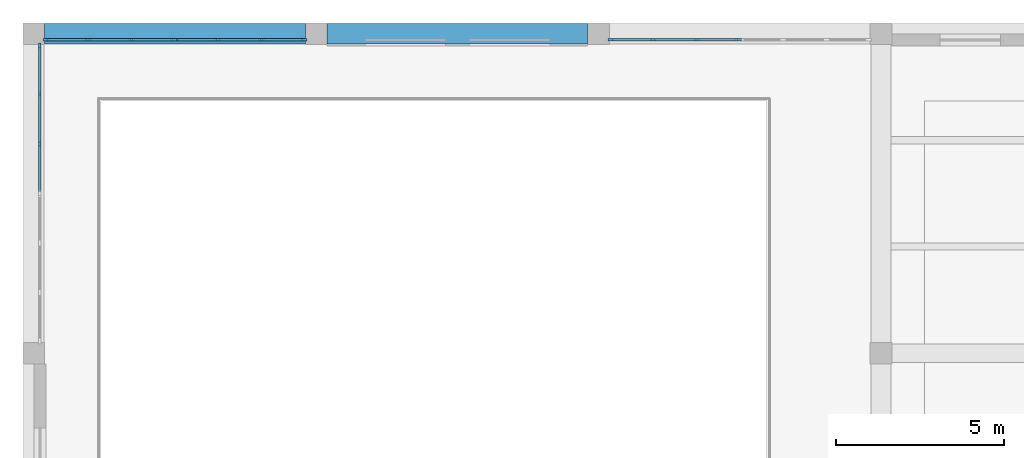
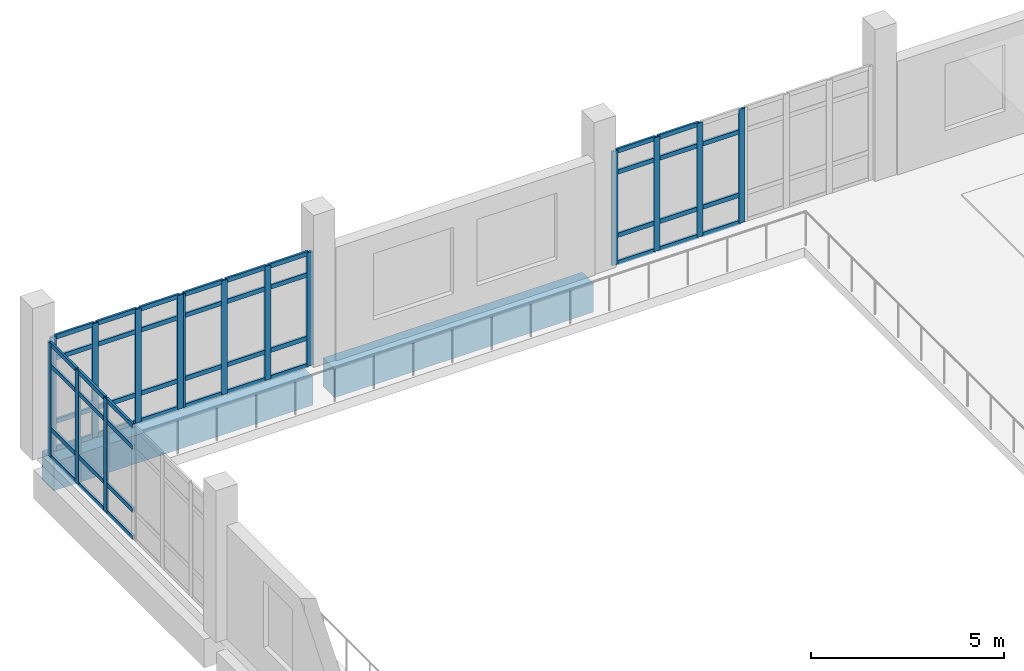
# One storey, part 22 of 73: 62 members, 2 beams, 4 elements without a shape of their own.
"""IFC4 building model written with IfcOpenShell, lengths in metres."""

from ifc_helpers import new_model, si_unit, direction, frame, origin, origin_2d, place, context, subcontext, project, spatial, rectangle, extrude, material, layer, layer_set, material_profile, profile_set, type_object, element, aggregate, save


model = new_model("IFC4")

# Units and contexts
model_context = context("Model", 3, precision=1e-05, world=origin(), true_north=direction((0.0, 1.0)))
body_context = subcontext(model_context, "Body", "Model", "MODEL_VIEW")
ifc_project = project(units=[si_unit("LENGTHUNIT", "METRE"), si_unit("AREAUNIT", "SQUARE_METRE"), si_unit("VOLUMEUNIT", "CUBIC_METRE"), si_unit("PLANEANGLEUNIT", "RADIAN"), si_unit("MASSUNIT", "GRAM", prefix="KILO")], contexts=[model_context])

# Site, building, storey
site_placement = place(None, origin())
site = spatial("IfcSite", under=ifc_project, at=site_placement, CompositionType="ELEMENT")
building_placement = place(site_placement, origin())
building = spatial("IfcBuilding", under=site, at=building_placement, Name="Kelarvand Opera House", CompositionType="ELEMENT")
storey_placement = place(building_placement, frame((0.0, 0.0, 10.199951171875)))
storey = spatial("IfcBuildingStorey", under=building, at=storey_placement, Name="L02", CompositionType="ELEMENT", Elevation=10.199951171875)

# Curtain wall, members
ifc_material_1 = material(Name="Thermally broken aluminium and low-E glazing", Category="aluminium")
ifc_layer_1 = layer(ifc_material_1, 0.179931640625, Name="Thermally broken aluminium and low-E glazing", Category="aluminium")
ifc_layer_set_1 = layer_set([ifc_layer_1], Name="Thermally broken aluminium and low-E glazing")
curtain_wall_type_1 = type_object("IfcCurtainWallType", Name="Unitised Low-E Curtain Wall 3861x3600 Mod 1350 CWF-17", PredefinedType="USERDEFINED", material=ifc_layer_set_1)
curtain_wall_1_placement = place(storey_placement, origin())
curtain_wall_1 = element("IfcCurtainWall", 1, at=curtain_wall_1_placement, inside=storey, type_object=curtain_wall_type_1, Name="V3 L02 Curtain Wall CWF-17 (71)", ObjectType="UNITISED CURTAIN WALL", PredefinedType="USERDEFINED")
ifc_material_2 = material(Name="Thermally broken anodised aluminium", Category="aluminium")
ifc_material_profile_1 = material_profile(ifc_material_2, rectangle(XDim=0.06494140625, YDim=0.179931640625, at=origin_2d()), Name="ALU MULLION 65x180", Category="aluminium")
ifc_profile_set_1 = profile_set([ifc_material_profile_1], Name="Thermally broken anodised aluminium")
member_type_1 = type_object("IfcMemberType", Name="Curtain Wall Mullion 65x180 Aluminium", PredefinedType="MULLION", material=ifc_profile_set_1)
member_1_placement = place(storey_placement, frame((9.367431640625, 124.820068359375, 0.0), z_axis=(0.0, 0.0, 1.0), x_axis=(0.0, 1.0, 0.0)))
member_1 = element("IfcMember", 2, at=member_1_placement, type_object=member_type_1, Name="CWF-17 mullion 1", PredefinedType="MULLION", context=body_context, shape_type="SweptSolid", body=[
    extrude(rectangle(XDim=0.06494140625, YDim=0.179931640625, at=origin_2d()), origin(), (0.0, 0.0, 1.0), 3.60009765625),
])
member_2_placement = place(storey_placement, frame((10.6220703125, 124.820068359375, 0.0), z_axis=(0.0, 0.0, 1.0), x_axis=(0.0, 1.0, 0.0)))
member_2 = element("IfcMember", 3, at=member_2_placement, type_object=member_type_1, Name="CWF-17 mullion 2", PredefinedType="MULLION", context=body_context, shape_type="SweptSolid", body=[
    extrude(rectangle(XDim=0.06494140625, YDim=0.179931640625, at=origin_2d()), origin(), (0.0, 0.0, 1.0), 3.60009765625),
])
member_3_placement = place(storey_placement, frame((11.908935546875, 124.820068359375, 0.0), z_axis=(0.0, 0.0, 1.0), x_axis=(0.0, 1.0, 0.0)))
member_3 = element("IfcMember", 4, at=member_3_placement, type_object=member_type_1, Name="CWF-17 mullion 3", PredefinedType="MULLION", context=body_context, shape_type="SweptSolid", body=[
    extrude(rectangle(XDim=0.06494140625, YDim=0.179931640625, at=origin_2d()), origin(), (0.0, 0.0, 1.0), 3.60009765625),
])
member_4_placement = place(storey_placement, frame((13.16357421875, 124.820068359375, 0.0), z_axis=(0.0, 0.0, 1.0), x_axis=(0.0, 1.0, 0.0)))
member_4 = element("IfcMember", 5, at=member_4_placement, type_object=member_type_1, Name="CWF-17 mullion 4", PredefinedType="MULLION", context=body_context, shape_type="SweptSolid", body=[
    extrude(rectangle(XDim=0.06494140625, YDim=0.179931640625, at=origin_2d()), origin(), (0.0, 0.0, 1.0), 3.60009765625),
])

curtain_wall_2_placement = place(storey_placement, origin())
curtain_wall_2 = element("IfcCurtainWall", 6, at=curtain_wall_2_placement, inside=storey, type_object=curtain_wall_type_1, Name="V3 L02 Curtain Wall CWF-17 (72)", ObjectType="UNITISED CURTAIN WALL", PredefinedType="USERDEFINED")
member_5_placement = place(storey_placement, frame((13.232421875, 124.820068359375, 0.0), z_axis=(0.0, 0.0, 1.0), x_axis=(0.0, 1.0, 0.0)))
member_5 = element("IfcMember", 7, at=member_5_placement, type_object=member_type_1, Name="CWF-17 mullion 1", PredefinedType="MULLION", context=body_context, shape_type="SweptSolid", body=[
    extrude(rectangle(XDim=0.06494140625, YDim=0.179931640625, at=origin_2d()), origin(), (0.0, 0.0, 1.0), 3.60009765625),
])
member_6_placement = place(storey_placement, frame((14.48828125, 124.820068359375, 0.0), z_axis=(0.0, 0.0, 1.0), x_axis=(0.0, 1.0, 0.0)))
member_6 = element("IfcMember", 8, at=member_6_placement, type_object=member_type_1, Name="CWF-17 mullion 2", PredefinedType="MULLION", context=body_context, shape_type="SweptSolid", body=[
    extrude(rectangle(XDim=0.06494140625, YDim=0.179931640625, at=origin_2d()), origin(), (0.0, 0.0, 1.0), 3.60009765625),
])
member_7_placement = place(storey_placement, frame((15.776611328125, 124.820068359375, 0.0), z_axis=(0.0, 0.0, 1.0), x_axis=(0.0, 1.0, 0.0)))
member_7 = element("IfcMember", 9, at=member_7_placement, type_object=member_type_1, Name="CWF-17 mullion 3", PredefinedType="MULLION", context=body_context, shape_type="SweptSolid", body=[
    extrude(rectangle(XDim=0.06494140625, YDim=0.179931640625, at=origin_2d()), origin(), (0.0, 0.0, 1.0), 3.60009765625),
])
member_8_placement = place(storey_placement, frame((17.032470703125, 124.820068359375, 0.0), z_axis=(0.0, 0.0, 1.0), x_axis=(0.0, 1.0, 0.0)))
member_8 = element("IfcMember", 10, at=member_8_placement, type_object=member_type_1, Name="CWF-17 mullion 4", PredefinedType="MULLION", context=body_context, shape_type="SweptSolid", body=[
    extrude(rectangle(XDim=0.06494140625, YDim=0.179931640625, at=origin_2d()), origin(), (0.0, 0.0, 1.0), 3.60009765625),
])

curtain_wall_3_placement = place(storey_placement, origin())
curtain_wall_3 = element("IfcCurtainWall", 11, at=curtain_wall_3_placement, inside=storey, type_object=curtain_wall_type_1, Name="V3 L02 Curtain Wall CWF-17 (73)", ObjectType="UNITISED CURTAIN WALL", PredefinedType="USERDEFINED")
member_9_placement = place(storey_placement, frame((26.16748046875, 124.820068359375, 0.0), z_axis=(0.0, 0.0, 1.0), x_axis=(0.0, 1.0, 0.0)))
member_9 = element("IfcMember", 12, at=member_9_placement, type_object=member_type_1, Name="CWF-17 mullion 1", PredefinedType="MULLION", context=body_context, shape_type="SweptSolid", body=[
    extrude(rectangle(XDim=0.06494140625, YDim=0.179931640625, at=origin_2d()), origin(), (0.0, 0.0, 1.0), 3.60009765625),
])
member_10_placement = place(storey_placement, frame((27.422119140625, 124.820068359375, 0.0), z_axis=(0.0, 0.0, 1.0), x_axis=(0.0, 1.0, 0.0)))
member_10 = element("IfcMember", 13, at=member_10_placement, type_object=member_type_1, Name="CWF-17 mullion 2", PredefinedType="MULLION", context=body_context, shape_type="SweptSolid", body=[
    extrude(rectangle(XDim=0.06494140625, YDim=0.179931640625, at=origin_2d()), origin(), (0.0, 0.0, 1.0), 3.60009765625),
])
member_11_placement = place(storey_placement, frame((28.708984375, 124.820068359375, 0.0), z_axis=(0.0, 0.0, 1.0), x_axis=(0.0, 1.0, 0.0)))
member_11 = element("IfcMember", 14, at=member_11_placement, type_object=member_type_1, Name="CWF-17 mullion 3", PredefinedType="MULLION", context=body_context, shape_type="SweptSolid", body=[
    extrude(rectangle(XDim=0.06494140625, YDim=0.179931640625, at=origin_2d()), origin(), (0.0, 0.0, 1.0), 3.60009765625),
])
member_12_placement = place(storey_placement, frame((29.96337890625, 124.820068359375, 0.0), z_axis=(0.0, 0.0, 1.0), x_axis=(0.0, 1.0, 0.0)))
member_12 = element("IfcMember", 15, at=member_12_placement, type_object=member_type_1, Name="CWF-17 mullion 4", PredefinedType="MULLION", context=body_context, shape_type="SweptSolid", body=[
    extrude(rectangle(XDim=0.06494140625, YDim=0.179931640625, at=origin_2d()), origin(), (0.0, 0.0, 1.0), 3.60009765625),
])

ifc_layer_2 = layer(ifc_material_1, 0.179931640625, Name="Thermally broken aluminium and low-E glazing", Category="aluminium")
ifc_layer_set_2 = layer_set([ifc_layer_2], Name="Thermally broken aluminium and low-E glazing")
curtain_wall_type_2 = type_object("IfcCurtainWallType", Name="Unitised Low-E Curtain Wall 4411x3600 Mod 1350 CWF-19", PredefinedType="USERDEFINED", material=ifc_layer_set_2)
curtain_wall_4_placement = place(storey_placement, origin())
curtain_wall_4 = element("IfcCurtainWall", 16, at=curtain_wall_4_placement, inside=storey, type_object=curtain_wall_type_2, Name="V3 L02 Curtain Wall CWF-19 (80)", ObjectType="UNITISED CURTAIN WALL", PredefinedType="USERDEFINED")
member_13_placement = place(storey_placement, frame((9.179931640625, 121.7216796875, 0.0), z_axis=(0.0, 0.0, 1.0), x_axis=(-1.0, 0.0, 0.0)))
member_13 = element("IfcMember", 17, at=member_13_placement, type_object=member_type_1, Name="CWF-19 mullion 2", PredefinedType="MULLION", context=body_context, shape_type="SweptSolid", body=[
    extrude(rectangle(XDim=0.06494140625, YDim=0.179931640625, at=origin_2d()), origin(), (0.0, 0.0, 1.0), 3.60009765625),
])
member_14_placement = place(storey_placement, frame((9.179931640625, 123.193359375, 0.0), z_axis=(0.0, 0.0, 1.0), x_axis=(-1.0, 0.0, 0.0)))
member_14 = element("IfcMember", 18, at=member_14_placement, type_object=member_type_1, Name="CWF-19 mullion 3", PredefinedType="MULLION", context=body_context, shape_type="SweptSolid", body=[
    extrude(rectangle(XDim=0.06494140625, YDim=0.179931640625, at=origin_2d()), origin(), (0.0, 0.0, 1.0), 3.60009765625),
])
member_15_placement = place(storey_placement, frame((9.179931640625, 124.632568359375, 0.0), z_axis=(0.0, 0.0, 1.0), x_axis=(-1.0, 0.0, 0.0)))
member_15 = element("IfcMember", 19, at=member_15_placement, type_object=member_type_1, Name="CWF-19 mullion 4", PredefinedType="MULLION", context=body_context, shape_type="SweptSolid", body=[
    extrude(rectangle(XDim=0.06494140625, YDim=0.179931640625, at=origin_2d()), origin(), (0.0, 0.0, 1.0), 3.60009765625),
])

# Member
ifc_material_profile_2 = material_profile(ifc_material_2, rectangle(XDim=0.06494140625, YDim=0.139892578125, at=origin_2d()), Name="ALU TRANSOM 65x140", Category="aluminium")
ifc_profile_set_2 = profile_set([ifc_material_profile_2], Name="Thermally broken anodised aluminium")
member_type_2 = type_object("IfcMemberType", Name="Curtain Wall Transom 65x140 Aluminium", PredefinedType="USERDEFINED", material=ifc_profile_set_2)
member_16_placement = place(storey_placement, frame((9.39990234375, 124.820068359375, 0.032470703125), z_axis=(1.0, 0.0, 0.0), x_axis=(0.0, 1.0, 0.0)))
member_16 = element("IfcMember", 20, at=member_16_placement, type_object=member_type_2, Name="CWF-17 transom 1.1", ObjectType="TRANSOM", PredefinedType="USERDEFINED", context=body_context, shape_type="SweptSolid", body=[
    extrude(rectangle(XDim=0.06494140625, YDim=0.139892578125, at=origin_2d()), origin(), (0.0, 0.0, 1.0), 1.189697265625),
])

member_17_placement = place(storey_placement, frame((9.39990234375, 124.820068359375, 0.900146484375), z_axis=(1.0, 0.0, 0.0), x_axis=(0.0, 1.0, 0.0)))
member_17 = element("IfcMember", 21, at=member_17_placement, type_object=member_type_2, Name="CWF-17 transom 1.2", ObjectType="TRANSOM", PredefinedType="USERDEFINED", context=body_context, shape_type="SweptSolid", body=[
    extrude(rectangle(XDim=0.06494140625, YDim=0.139892578125, at=origin_2d()), origin(), (0.0, 0.0, 1.0), 1.189697265625),
])

member_18_placement = place(storey_placement, frame((9.39990234375, 124.820068359375, 2.900146484375), z_axis=(1.0, 0.0, 0.0), x_axis=(0.0, 1.0, 0.0)))
member_18 = element("IfcMember", 22, at=member_18_placement, type_object=member_type_2, Name="CWF-17 transom 1.3", ObjectType="TRANSOM", PredefinedType="USERDEFINED", context=body_context, shape_type="SweptSolid", body=[
    extrude(rectangle(XDim=0.06494140625, YDim=0.139892578125, at=origin_2d()), origin(), (0.0, 0.0, 1.0), 1.189697265625),
])

member_19_placement = place(storey_placement, frame((9.39990234375, 124.820068359375, 3.567626953125), z_axis=(1.0, 0.0, 0.0), x_axis=(0.0, 1.0, 0.0)))
member_19 = element("IfcMember", 23, at=member_19_placement, type_object=member_type_2, Name="CWF-17 transom 1.4", ObjectType="TRANSOM", PredefinedType="USERDEFINED", context=body_context, shape_type="SweptSolid", body=[
    extrude(rectangle(XDim=0.06494140625, YDim=0.139892578125, at=origin_2d()), origin(), (0.0, 0.0, 1.0), 1.189697265625),
])

member_20_placement = place(storey_placement, frame((10.654541015625, 124.820068359375, 0.032470703125), z_axis=(1.0, 0.0, 0.0), x_axis=(0.0, 1.0, 0.0)))
member_20 = element("IfcMember", 24, at=member_20_placement, type_object=member_type_2, Name="CWF-17 transom 2.1", ObjectType="TRANSOM", PredefinedType="USERDEFINED", context=body_context, shape_type="SweptSolid", body=[
    extrude(rectangle(XDim=0.06494140625, YDim=0.139892578125, at=origin_2d()), origin(), (0.0, 0.0, 1.0), 1.221923828125),
])

member_21_placement = place(storey_placement, frame((10.654541015625, 124.820068359375, 0.900146484375), z_axis=(1.0, 0.0, 0.0), x_axis=(0.0, 1.0, 0.0)))
member_21 = element("IfcMember", 25, at=member_21_placement, type_object=member_type_2, Name="CWF-17 transom 2.2", ObjectType="TRANSOM", PredefinedType="USERDEFINED", context=body_context, shape_type="SweptSolid", body=[
    extrude(rectangle(XDim=0.06494140625, YDim=0.139892578125, at=origin_2d()), origin(), (0.0, 0.0, 1.0), 1.221923828125),
])

member_22_placement = place(storey_placement, frame((10.654541015625, 124.820068359375, 2.900146484375), z_axis=(1.0, 0.0, 0.0), x_axis=(0.0, 1.0, 0.0)))
member_22 = element("IfcMember", 26, at=member_22_placement, type_object=member_type_2, Name="CWF-17 transom 2.3", ObjectType="TRANSOM", PredefinedType="USERDEFINED", context=body_context, shape_type="SweptSolid", body=[
    extrude(rectangle(XDim=0.06494140625, YDim=0.139892578125, at=origin_2d()), origin(), (0.0, 0.0, 1.0), 1.221923828125),
])

member_23_placement = place(storey_placement, frame((10.654541015625, 124.820068359375, 3.567626953125), z_axis=(1.0, 0.0, 0.0), x_axis=(0.0, 1.0, 0.0)))
member_23 = element("IfcMember", 27, at=member_23_placement, type_object=member_type_2, Name="CWF-17 transom 2.4", ObjectType="TRANSOM", PredefinedType="USERDEFINED", context=body_context, shape_type="SweptSolid", body=[
    extrude(rectangle(XDim=0.06494140625, YDim=0.139892578125, at=origin_2d()), origin(), (0.0, 0.0, 1.0), 1.221923828125),
])

member_24_placement = place(storey_placement, frame((11.94140625, 124.820068359375, 0.032470703125), z_axis=(1.0, 0.0, 0.0), x_axis=(0.0, 1.0, 0.0)))
member_24 = element("IfcMember", 28, at=member_24_placement, type_object=member_type_2, Name="CWF-17 transom 3.1", ObjectType="TRANSOM", PredefinedType="USERDEFINED", context=body_context, shape_type="SweptSolid", body=[
    extrude(rectangle(XDim=0.06494140625, YDim=0.139892578125, at=origin_2d()), origin(), (0.0, 0.0, 1.0), 1.189697265625),
])

member_25_placement = place(storey_placement, frame((11.94140625, 124.820068359375, 0.900146484375), z_axis=(1.0, 0.0, 0.0), x_axis=(0.0, 1.0, 0.0)))
member_25 = element("IfcMember", 29, at=member_25_placement, type_object=member_type_2, Name="CWF-17 transom 3.2", ObjectType="TRANSOM", PredefinedType="USERDEFINED", context=body_context, shape_type="SweptSolid", body=[
    extrude(rectangle(XDim=0.06494140625, YDim=0.139892578125, at=origin_2d()), origin(), (0.0, 0.0, 1.0), 1.189697265625),
])

member_26_placement = place(storey_placement, frame((11.94140625, 124.820068359375, 2.900146484375), z_axis=(1.0, 0.0, 0.0), x_axis=(0.0, 1.0, 0.0)))
member_26 = element("IfcMember", 30, at=member_26_placement, type_object=member_type_2, Name="CWF-17 transom 3.3", ObjectType="TRANSOM", PredefinedType="USERDEFINED", context=body_context, shape_type="SweptSolid", body=[
    extrude(rectangle(XDim=0.06494140625, YDim=0.139892578125, at=origin_2d()), origin(), (0.0, 0.0, 1.0), 1.189697265625),
])

member_27_placement = place(storey_placement, frame((11.94140625, 124.820068359375, 3.567626953125), z_axis=(1.0, 0.0, 0.0), x_axis=(0.0, 1.0, 0.0)))
member_27 = element("IfcMember", 31, at=member_27_placement, type_object=member_type_2, Name="CWF-17 transom 3.4", ObjectType="TRANSOM", PredefinedType="USERDEFINED", context=body_context, shape_type="SweptSolid", body=[
    extrude(rectangle(XDim=0.06494140625, YDim=0.139892578125, at=origin_2d()), origin(), (0.0, 0.0, 1.0), 1.189697265625),
])

aggregate(curtain_wall_1, [member_1, member_2, member_3, member_4, member_16, member_17, member_18, member_19, member_20, member_21, member_22, member_23, member_24, member_25, member_26, member_27])

member_28_placement = place(storey_placement, frame((13.264892578125, 124.820068359375, 0.032470703125), z_axis=(1.0, 0.0, 0.0), x_axis=(0.0, 1.0, 0.0)))
member_28 = element("IfcMember", 32, at=member_28_placement, type_object=member_type_2, Name="CWF-17 transom 1.1", ObjectType="TRANSOM", PredefinedType="USERDEFINED", context=body_context, shape_type="SweptSolid", body=[
    extrude(rectangle(XDim=0.06494140625, YDim=0.139892578125, at=origin_2d()), origin(), (0.0, 0.0, 1.0), 1.19091796875),
])

member_29_placement = place(storey_placement, frame((13.264892578125, 124.820068359375, 0.900146484375), z_axis=(1.0, 0.0, 0.0), x_axis=(0.0, 1.0, 0.0)))
member_29 = element("IfcMember", 33, at=member_29_placement, type_object=member_type_2, Name="CWF-17 transom 1.2", ObjectType="TRANSOM", PredefinedType="USERDEFINED", context=body_context, shape_type="SweptSolid", body=[
    extrude(rectangle(XDim=0.06494140625, YDim=0.139892578125, at=origin_2d()), origin(), (0.0, 0.0, 1.0), 1.19091796875),
])

member_30_placement = place(storey_placement, frame((13.264892578125, 124.820068359375, 2.900146484375), z_axis=(1.0, 0.0, 0.0), x_axis=(0.0, 1.0, 0.0)))
member_30 = element("IfcMember", 34, at=member_30_placement, type_object=member_type_2, Name="CWF-17 transom 1.3", ObjectType="TRANSOM", PredefinedType="USERDEFINED", context=body_context, shape_type="SweptSolid", body=[
    extrude(rectangle(XDim=0.06494140625, YDim=0.139892578125, at=origin_2d()), origin(), (0.0, 0.0, 1.0), 1.19091796875),
])

member_31_placement = place(storey_placement, frame((13.264892578125, 124.820068359375, 3.567626953125), z_axis=(1.0, 0.0, 0.0), x_axis=(0.0, 1.0, 0.0)))
member_31 = element("IfcMember", 35, at=member_31_placement, type_object=member_type_2, Name="CWF-17 transom 1.4", ObjectType="TRANSOM", PredefinedType="USERDEFINED", context=body_context, shape_type="SweptSolid", body=[
    extrude(rectangle(XDim=0.06494140625, YDim=0.139892578125, at=origin_2d()), origin(), (0.0, 0.0, 1.0), 1.19091796875),
])

member_32_placement = place(storey_placement, frame((14.520751953125, 124.820068359375, 0.032470703125), z_axis=(1.0, 0.0, 0.0), x_axis=(0.0, 1.0, 0.0)))
member_32 = element("IfcMember", 36, at=member_32_placement, type_object=member_type_2, Name="CWF-17 transom 2.1", ObjectType="TRANSOM", PredefinedType="USERDEFINED", context=body_context, shape_type="SweptSolid", body=[
    extrude(rectangle(XDim=0.06494140625, YDim=0.139892578125, at=origin_2d()), origin(), (0.0, 0.0, 1.0), 1.223388671875),
])

member_33_placement = place(storey_placement, frame((14.520751953125, 124.820068359375, 0.900146484375), z_axis=(1.0, 0.0, 0.0), x_axis=(0.0, 1.0, 0.0)))
member_33 = element("IfcMember", 37, at=member_33_placement, type_object=member_type_2, Name="CWF-17 transom 2.2", ObjectType="TRANSOM", PredefinedType="USERDEFINED", context=body_context, shape_type="SweptSolid", body=[
    extrude(rectangle(XDim=0.06494140625, YDim=0.139892578125, at=origin_2d()), origin(), (0.0, 0.0, 1.0), 1.223388671875),
])

member_34_placement = place(storey_placement, frame((14.520751953125, 124.820068359375, 2.900146484375), z_axis=(1.0, 0.0, 0.0), x_axis=(0.0, 1.0, 0.0)))
member_34 = element("IfcMember", 38, at=member_34_placement, type_object=member_type_2, Name="CWF-17 transom 2.3", ObjectType="TRANSOM", PredefinedType="USERDEFINED", context=body_context, shape_type="SweptSolid", body=[
    extrude(rectangle(XDim=0.06494140625, YDim=0.139892578125, at=origin_2d()), origin(), (0.0, 0.0, 1.0), 1.223388671875),
])

member_35_placement = place(storey_placement, frame((14.520751953125, 124.820068359375, 3.567626953125), z_axis=(1.0, 0.0, 0.0), x_axis=(0.0, 1.0, 0.0)))
member_35 = element("IfcMember", 39, at=member_35_placement, type_object=member_type_2, Name="CWF-17 transom 2.4", ObjectType="TRANSOM", PredefinedType="USERDEFINED", context=body_context, shape_type="SweptSolid", body=[
    extrude(rectangle(XDim=0.06494140625, YDim=0.139892578125, at=origin_2d()), origin(), (0.0, 0.0, 1.0), 1.223388671875),
])

member_36_placement = place(storey_placement, frame((15.80908203125, 124.820068359375, 0.032470703125), z_axis=(1.0, 0.0, 0.0), x_axis=(0.0, 1.0, 0.0)))
member_36 = element("IfcMember", 40, at=member_36_placement, type_object=member_type_2, Name="CWF-17 transom 3.1", ObjectType="TRANSOM", PredefinedType="USERDEFINED", context=body_context, shape_type="SweptSolid", body=[
    extrude(rectangle(XDim=0.06494140625, YDim=0.139892578125, at=origin_2d()), origin(), (0.0, 0.0, 1.0), 1.19091796875),
])

member_37_placement = place(storey_placement, frame((15.80908203125, 124.820068359375, 0.900146484375), z_axis=(1.0, 0.0, 0.0), x_axis=(0.0, 1.0, 0.0)))
member_37 = element("IfcMember", 41, at=member_37_placement, type_object=member_type_2, Name="CWF-17 transom 3.2", ObjectType="TRANSOM", PredefinedType="USERDEFINED", context=body_context, shape_type="SweptSolid", body=[
    extrude(rectangle(XDim=0.06494140625, YDim=0.139892578125, at=origin_2d()), origin(), (0.0, 0.0, 1.0), 1.19091796875),
])

member_38_placement = place(storey_placement, frame((15.80908203125, 124.820068359375, 2.900146484375), z_axis=(1.0, 0.0, 0.0), x_axis=(0.0, 1.0, 0.0)))
member_38 = element("IfcMember", 42, at=member_38_placement, type_object=member_type_2, Name="CWF-17 transom 3.3", ObjectType="TRANSOM", PredefinedType="USERDEFINED", context=body_context, shape_type="SweptSolid", body=[
    extrude(rectangle(XDim=0.06494140625, YDim=0.139892578125, at=origin_2d()), origin(), (0.0, 0.0, 1.0), 1.19091796875),
])

member_39_placement = place(storey_placement, frame((15.80908203125, 124.820068359375, 3.567626953125), z_axis=(1.0, 0.0, 0.0), x_axis=(0.0, 1.0, 0.0)))
member_39 = element("IfcMember", 43, at=member_39_placement, type_object=member_type_2, Name="CWF-17 transom 3.4", ObjectType="TRANSOM", PredefinedType="USERDEFINED", context=body_context, shape_type="SweptSolid", body=[
    extrude(rectangle(XDim=0.06494140625, YDim=0.139892578125, at=origin_2d()), origin(), (0.0, 0.0, 1.0), 1.19091796875),
])

aggregate(curtain_wall_2, [member_5, member_6, member_7, member_8, member_28, member_29, member_30, member_31, member_32, member_33, member_34, member_35, member_36, member_37, member_38, member_39])

member_40_placement = place(storey_placement, frame((26.199951171875, 124.820068359375, 0.032470703125), z_axis=(1.0, 0.0, 0.0), x_axis=(0.0, 1.0, 0.0)))
member_40 = element("IfcMember", 44, at=member_40_placement, type_object=member_type_2, Name="CWF-17 transom 1.1", ObjectType="TRANSOM", PredefinedType="USERDEFINED", context=body_context, shape_type="SweptSolid", body=[
    extrude(rectangle(XDim=0.06494140625, YDim=0.139892578125, at=origin_2d()), origin(), (0.0, 0.0, 1.0), 1.189453125),
])

member_41_placement = place(storey_placement, frame((26.199951171875, 124.820068359375, 0.900146484375), z_axis=(1.0, 0.0, 0.0), x_axis=(0.0, 1.0, 0.0)))
member_41 = element("IfcMember", 45, at=member_41_placement, type_object=member_type_2, Name="CWF-17 transom 1.2", ObjectType="TRANSOM", PredefinedType="USERDEFINED", context=body_context, shape_type="SweptSolid", body=[
    extrude(rectangle(XDim=0.06494140625, YDim=0.139892578125, at=origin_2d()), origin(), (0.0, 0.0, 1.0), 1.189453125),
])

member_42_placement = place(storey_placement, frame((26.199951171875, 124.820068359375, 2.900146484375), z_axis=(1.0, 0.0, 0.0), x_axis=(0.0, 1.0, 0.0)))
member_42 = element("IfcMember", 46, at=member_42_placement, type_object=member_type_2, Name="CWF-17 transom 1.3", ObjectType="TRANSOM", PredefinedType="USERDEFINED", context=body_context, shape_type="SweptSolid", body=[
    extrude(rectangle(XDim=0.06494140625, YDim=0.139892578125, at=origin_2d()), origin(), (0.0, 0.0, 1.0), 1.189453125),
])

member_43_placement = place(storey_placement, frame((26.199951171875, 124.820068359375, 3.567626953125), z_axis=(1.0, 0.0, 0.0), x_axis=(0.0, 1.0, 0.0)))
member_43 = element("IfcMember", 47, at=member_43_placement, type_object=member_type_2, Name="CWF-17 transom 1.4", ObjectType="TRANSOM", PredefinedType="USERDEFINED", context=body_context, shape_type="SweptSolid", body=[
    extrude(rectangle(XDim=0.06494140625, YDim=0.139892578125, at=origin_2d()), origin(), (0.0, 0.0, 1.0), 1.189453125),
])

member_44_placement = place(storey_placement, frame((27.45458984375, 124.820068359375, 0.032470703125), z_axis=(1.0, 0.0, 0.0), x_axis=(0.0, 1.0, 0.0)))
member_44 = element("IfcMember", 48, at=member_44_placement, type_object=member_type_2, Name="CWF-17 transom 2.1", ObjectType="TRANSOM", PredefinedType="USERDEFINED", context=body_context, shape_type="SweptSolid", body=[
    extrude(rectangle(XDim=0.06494140625, YDim=0.139892578125, at=origin_2d()), origin(), (0.0, 0.0, 1.0), 1.221923828125),
])

member_45_placement = place(storey_placement, frame((27.45458984375, 124.820068359375, 0.900146484375), z_axis=(1.0, 0.0, 0.0), x_axis=(0.0, 1.0, 0.0)))
member_45 = element("IfcMember", 49, at=member_45_placement, type_object=member_type_2, Name="CWF-17 transom 2.2", ObjectType="TRANSOM", PredefinedType="USERDEFINED", context=body_context, shape_type="SweptSolid", body=[
    extrude(rectangle(XDim=0.06494140625, YDim=0.139892578125, at=origin_2d()), origin(), (0.0, 0.0, 1.0), 1.221923828125),
])

member_46_placement = place(storey_placement, frame((27.45458984375, 124.820068359375, 2.900146484375), z_axis=(1.0, 0.0, 0.0), x_axis=(0.0, 1.0, 0.0)))
member_46 = element("IfcMember", 50, at=member_46_placement, type_object=member_type_2, Name="CWF-17 transom 2.3", ObjectType="TRANSOM", PredefinedType="USERDEFINED", context=body_context, shape_type="SweptSolid", body=[
    extrude(rectangle(XDim=0.06494140625, YDim=0.139892578125, at=origin_2d()), origin(), (0.0, 0.0, 1.0), 1.221923828125),
])

member_47_placement = place(storey_placement, frame((27.45458984375, 124.820068359375, 3.567626953125), z_axis=(1.0, 0.0, 0.0), x_axis=(0.0, 1.0, 0.0)))
member_47 = element("IfcMember", 51, at=member_47_placement, type_object=member_type_2, Name="CWF-17 transom 2.4", ObjectType="TRANSOM", PredefinedType="USERDEFINED", context=body_context, shape_type="SweptSolid", body=[
    extrude(rectangle(XDim=0.06494140625, YDim=0.139892578125, at=origin_2d()), origin(), (0.0, 0.0, 1.0), 1.221923828125),
])

member_48_placement = place(storey_placement, frame((28.741455078125, 124.820068359375, 0.032470703125), z_axis=(1.0, 0.0, 0.0), x_axis=(0.0, 1.0, 0.0)))
member_48 = element("IfcMember", 52, at=member_48_placement, type_object=member_type_2, Name="CWF-17 transom 3.1", ObjectType="TRANSOM", PredefinedType="USERDEFINED", context=body_context, shape_type="SweptSolid", body=[
    extrude(rectangle(XDim=0.06494140625, YDim=0.139892578125, at=origin_2d()), origin(), (0.0, 0.0, 1.0), 1.189453125),
])

member_49_placement = place(storey_placement, frame((28.741455078125, 124.820068359375, 0.900146484375), z_axis=(1.0, 0.0, 0.0), x_axis=(0.0, 1.0, 0.0)))
member_49 = element("IfcMember", 53, at=member_49_placement, type_object=member_type_2, Name="CWF-17 transom 3.2", ObjectType="TRANSOM", PredefinedType="USERDEFINED", context=body_context, shape_type="SweptSolid", body=[
    extrude(rectangle(XDim=0.06494140625, YDim=0.139892578125, at=origin_2d()), origin(), (0.0, 0.0, 1.0), 1.189453125),
])

member_50_placement = place(storey_placement, frame((28.741455078125, 124.820068359375, 2.900146484375), z_axis=(1.0, 0.0, 0.0), x_axis=(0.0, 1.0, 0.0)))
member_50 = element("IfcMember", 54, at=member_50_placement, type_object=member_type_2, Name="CWF-17 transom 3.3", ObjectType="TRANSOM", PredefinedType="USERDEFINED", context=body_context, shape_type="SweptSolid", body=[
    extrude(rectangle(XDim=0.06494140625, YDim=0.139892578125, at=origin_2d()), origin(), (0.0, 0.0, 1.0), 1.189453125),
])

aggregate(curtain_wall_3, [member_9, member_10, member_11, member_12, member_40, member_41, member_42, member_43, member_44, member_45, member_46, member_47, member_48, member_49, member_50])

member_51_placement = place(storey_placement, frame((9.179931640625, 120.31494140625, 0.032470703125), z_axis=(0.0, 1.0, 0.0), x_axis=(-1.0, 0.0, 0.0)))
member_51 = element("IfcMember", 55, at=member_51_placement, type_object=member_type_2, Name="CWF-19 transom 1.1", ObjectType="TRANSOM", PredefinedType="USERDEFINED", context=body_context, shape_type="SweptSolid", body=[
    extrude(rectangle(XDim=0.06494140625, YDim=0.139892578125, at=origin_2d()), origin(), (0.0, 0.0, 1.0), 1.374267578125),
])

member_52_placement = place(storey_placement, frame((9.179931640625, 120.31494140625, 0.900146484375), z_axis=(0.0, 1.0, 0.0), x_axis=(-1.0, 0.0, 0.0)))
member_52 = element("IfcMember", 56, at=member_52_placement, type_object=member_type_2, Name="CWF-19 transom 1.2", ObjectType="TRANSOM", PredefinedType="USERDEFINED", context=body_context, shape_type="SweptSolid", body=[
    extrude(rectangle(XDim=0.06494140625, YDim=0.139892578125, at=origin_2d()), origin(), (0.0, 0.0, 1.0), 1.374267578125),
])

member_53_placement = place(storey_placement, frame((9.179931640625, 120.31494140625, 2.900146484375), z_axis=(0.0, 1.0, 0.0), x_axis=(-1.0, 0.0, 0.0)))
member_53 = element("IfcMember", 57, at=member_53_placement, type_object=member_type_2, Name="CWF-19 transom 1.3", ObjectType="TRANSOM", PredefinedType="USERDEFINED", context=body_context, shape_type="SweptSolid", body=[
    extrude(rectangle(XDim=0.06494140625, YDim=0.139892578125, at=origin_2d()), origin(), (0.0, 0.0, 1.0), 1.374267578125),
])

member_54_placement = place(storey_placement, frame((9.179931640625, 120.31494140625, 3.567626953125), z_axis=(0.0, 1.0, 0.0), x_axis=(-1.0, 0.0, 0.0)))
member_54 = element("IfcMember", 58, at=member_54_placement, type_object=member_type_2, Name="CWF-19 transom 1.4", ObjectType="TRANSOM", PredefinedType="USERDEFINED", context=body_context, shape_type="SweptSolid", body=[
    extrude(rectangle(XDim=0.06494140625, YDim=0.139892578125, at=origin_2d()), origin(), (0.0, 0.0, 1.0), 1.374267578125),
])

member_55_placement = place(storey_placement, frame((9.179931640625, 121.754150390625, 0.032470703125), z_axis=(0.0, 1.0, 0.0), x_axis=(-1.0, 0.0, 0.0)))
member_55 = element("IfcMember", 59, at=member_55_placement, type_object=member_type_2, Name="CWF-19 transom 2.1", ObjectType="TRANSOM", PredefinedType="USERDEFINED", context=body_context, shape_type="SweptSolid", body=[
    extrude(rectangle(XDim=0.06494140625, YDim=0.139892578125, at=origin_2d()), origin(), (0.0, 0.0, 1.0), 1.40673828125),
])

member_56_placement = place(storey_placement, frame((9.179931640625, 121.754150390625, 0.900146484375), z_axis=(0.0, 1.0, 0.0), x_axis=(-1.0, 0.0, 0.0)))
member_56 = element("IfcMember", 60, at=member_56_placement, type_object=member_type_2, Name="CWF-19 transom 2.2", ObjectType="TRANSOM", PredefinedType="USERDEFINED", context=body_context, shape_type="SweptSolid", body=[
    extrude(rectangle(XDim=0.06494140625, YDim=0.139892578125, at=origin_2d()), origin(), (0.0, 0.0, 1.0), 1.40673828125),
])

member_57_placement = place(storey_placement, frame((9.179931640625, 121.754150390625, 2.900146484375), z_axis=(0.0, 1.0, 0.0), x_axis=(-1.0, 0.0, 0.0)))
member_57 = element("IfcMember", 61, at=member_57_placement, type_object=member_type_2, Name="CWF-19 transom 2.3", ObjectType="TRANSOM", PredefinedType="USERDEFINED", context=body_context, shape_type="SweptSolid", body=[
    extrude(rectangle(XDim=0.06494140625, YDim=0.139892578125, at=origin_2d()), origin(), (0.0, 0.0, 1.0), 1.40673828125),
])

member_58_placement = place(storey_placement, frame((9.179931640625, 121.754150390625, 3.567626953125), z_axis=(0.0, 1.0, 0.0), x_axis=(-1.0, 0.0, 0.0)))
member_58 = element("IfcMember", 62, at=member_58_placement, type_object=member_type_2, Name="CWF-19 transom 2.4", ObjectType="TRANSOM", PredefinedType="USERDEFINED", context=body_context, shape_type="SweptSolid", body=[
    extrude(rectangle(XDim=0.06494140625, YDim=0.139892578125, at=origin_2d()), origin(), (0.0, 0.0, 1.0), 1.40673828125),
])

member_59_placement = place(storey_placement, frame((9.179931640625, 123.225830078125, 0.032470703125), z_axis=(0.0, 1.0, 0.0), x_axis=(-1.0, 0.0, 0.0)))
member_59 = element("IfcMember", 63, at=member_59_placement, type_object=member_type_2, Name="CWF-19 transom 3.1", ObjectType="TRANSOM", PredefinedType="USERDEFINED", context=body_context, shape_type="SweptSolid", body=[
    extrude(rectangle(XDim=0.06494140625, YDim=0.139892578125, at=origin_2d()), origin(), (0.0, 0.0, 1.0), 1.374267578125),
])

member_60_placement = place(storey_placement, frame((9.179931640625, 123.225830078125, 0.900146484375), z_axis=(0.0, 1.0, 0.0), x_axis=(-1.0, 0.0, 0.0)))
member_60 = element("IfcMember", 64, at=member_60_placement, type_object=member_type_2, Name="CWF-19 transom 3.2", ObjectType="TRANSOM", PredefinedType="USERDEFINED", context=body_context, shape_type="SweptSolid", body=[
    extrude(rectangle(XDim=0.06494140625, YDim=0.139892578125, at=origin_2d()), origin(), (0.0, 0.0, 1.0), 1.374267578125),
])

member_61_placement = place(storey_placement, frame((9.179931640625, 123.225830078125, 2.900146484375), z_axis=(0.0, 1.0, 0.0), x_axis=(-1.0, 0.0, 0.0)))
member_61 = element("IfcMember", 65, at=member_61_placement, type_object=member_type_2, Name="CWF-19 transom 3.3", ObjectType="TRANSOM", PredefinedType="USERDEFINED", context=body_context, shape_type="SweptSolid", body=[
    extrude(rectangle(XDim=0.06494140625, YDim=0.139892578125, at=origin_2d()), origin(), (0.0, 0.0, 1.0), 1.374267578125),
])

member_62_placement = place(storey_placement, frame((9.179931640625, 123.225830078125, 3.567626953125), z_axis=(0.0, 1.0, 0.0), x_axis=(-1.0, 0.0, 0.0)))
member_62 = element("IfcMember", 66, at=member_62_placement, type_object=member_type_2, Name="CWF-19 transom 3.4", ObjectType="TRANSOM", PredefinedType="USERDEFINED", context=body_context, shape_type="SweptSolid", body=[
    extrude(rectangle(XDim=0.06494140625, YDim=0.139892578125, at=origin_2d()), origin(), (0.0, 0.0, 1.0), 1.374267578125),
])

aggregate(curtain_wall_4, [member_13, member_14, member_15, member_51, member_52, member_53, member_54, member_55, member_56, member_57, member_58, member_59, member_60, member_61, member_62])

# Beams
ifc_material_3 = material(Name="Concrete C40/50", Category="concrete")
ifc_material_profile_3 = material_profile(ifc_material_3, rectangle(XDim=0.60009765625, YDim=0.89990234375, at=origin_2d()), Name="RC 600x900", Category="concrete")
ifc_profile_set_3 = profile_set([ifc_material_profile_3], Name="Concrete C40/50")
beam_type = type_object("IfcBeamType", Name="Structural Spandrel RC 600x900 SP-RC600x900E", PredefinedType="SPANDREL", material=ifc_profile_set_3)
for number, where, z_axis, x_axis, name in (
    (67, (9.324951171875, 125.0, -0.75), (1.0, 0.0, 0.0), (0.0, 1.0, 0.0), "V3 L02 Beam SP-RC600x900E"),
    (68, (17.72509765625, 125.0, -0.75), (1.0, 0.0, 0.0), (0.0, 1.0, 0.0), "V3 L02 Beam SP-RC600x900E"),
):
    element("IfcBeam", number, at=place(storey_placement, frame(where, z_axis=z_axis, x_axis=x_axis)), inside=storey, type_object=beam_type, Name=name, PredefinedType="SPANDREL", context=body_context, shape_type="SweptSolid", body=[
        extrude(rectangle(XDim=0.60009765625, YDim=0.89990234375, at=origin_2d()), origin(), (0.0, 0.0, 1.0), 7.75),
    ])

save(model, "model.ifc")
